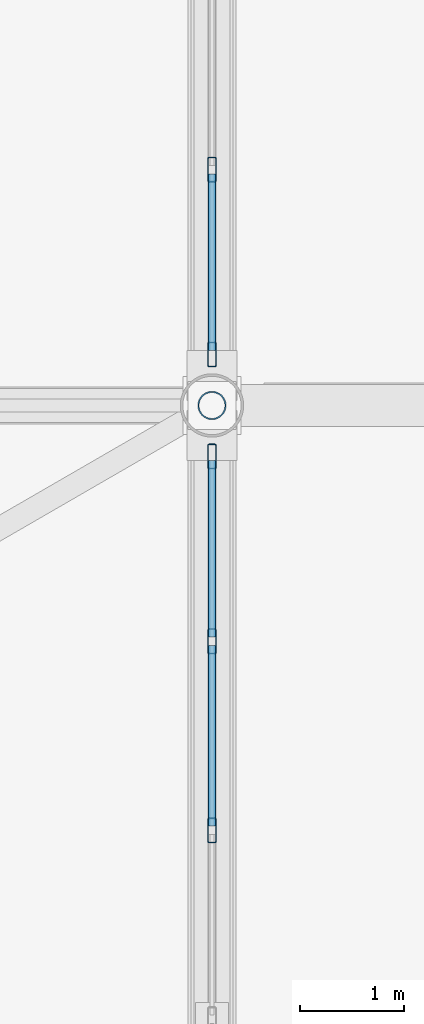
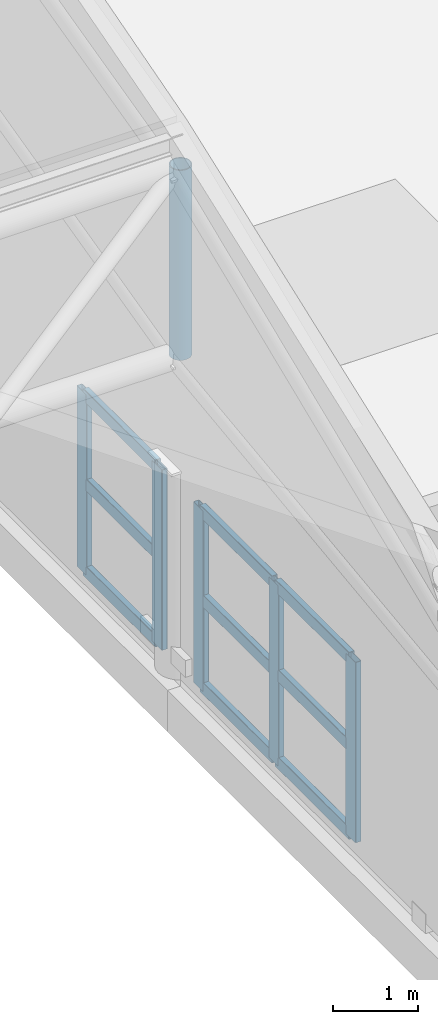
# One storey, part 48 of 135: 15 members, 2 elements without a shape of their own.
"""IFC4 building model written with IfcOpenShell, lengths in metres."""

from ifc_helpers import new_model, si_unit, direction, frame, origin, origin_2d, place, context, subcontext, project, spatial, hollow_rectangle, hollow_circle, extrude, material, material_profile, profile_set, type_object, element, aggregate, save


model = new_model("IFC4")

# Units and contexts
model_context = context("Model", 3, precision=1e-05, world=origin(), true_north=direction((0.0, 1.0)))
body_context = subcontext(model_context, "Body", "Model", "MODEL_VIEW")
ifc_project = project(units=[si_unit("LENGTHUNIT", "METRE"), si_unit("AREAUNIT", "SQUARE_METRE"), si_unit("VOLUMEUNIT", "CUBIC_METRE"), si_unit("PLANEANGLEUNIT", "RADIAN"), si_unit("MASSUNIT", "GRAM", prefix="KILO")], contexts=[model_context])

# Site, building, storey
site_placement = place(None, origin())
site = spatial("IfcSite", under=ifc_project, at=site_placement, CompositionType="ELEMENT")
building_placement = place(site_placement, origin())
building = spatial("IfcBuilding", under=site, at=building_placement, Name="Brelvane Convention Centre", CompositionType="ELEMENT")
storey_placement = place(building_placement, frame((0.0, 0.0, 15.0)))
storey = spatial("IfcBuildingStorey", under=building, at=storey_placement, Name="L03", CompositionType="ELEMENT", Elevation=15.0)

# Curtain wall, members
ifc_material_1 = material(Name="Anodised Aluminium Alloy 6063-T6", Category="aluminium")
curtain_wall_type = type_object("IfcCurtainWallType", Name="Curtain Wall CW-HULL-N", PredefinedType="USERDEFINED", material=ifc_material_1)
curtain_wall_1_placement = place(storey_placement, origin())
curtain_wall_1 = element("IfcCurtainWall", 1, at=curtain_wall_1_placement, inside=storey, type_object=curtain_wall_type, Name="Curtain Wall CW-HULL-N L03-EXH-E-CLER-1", ObjectType="UNITISED", PredefinedType="USERDEFINED")
ifc_material_2 = material(Name="Anodised Aluminium Alloy 6063-T6", Category="aluminium")
ifc_material_profile_1 = material_profile(ifc_material_2, hollow_rectangle(XDim=0.080078125, YDim=0.239990234375, WallThickness=0.006103515625, InnerFilletRadius=0.006103515625, OuterFilletRadius=0.011962890625, at=origin_2d()), Name="ALU-M 240x80x6.0")
ifc_profile_set_1 = profile_set([ifc_material_profile_1], Name="Anodised Aluminium Alloy 6063-T6")
member_type_1 = type_object("IfcMemberType", Name="Curtain Mullion CW-M1", PredefinedType="MULLION", material=ifc_profile_set_1)
member_1_placement = place(storey_placement, frame((142.800048828125, 36.5166015625, 0.0), z_axis=(0.0, 0.0, 1.0), x_axis=(-1.0, 0.0, 0.0)))
member_1 = element("IfcMember", 2, at=member_1_placement, type_object=member_type_1, Name="CW-HULL-N mullion 5", PredefinedType="MULLION", context=body_context, shape_type="SweptSolid", body=[
    extrude(hollow_rectangle(XDim=0.080078125, YDim=0.239990234375, WallThickness=0.006103515625, InnerFilletRadius=0.006103515625, OuterFilletRadius=0.011962890625, at=origin_2d()), origin(), (0.0, 0.0, 1.0), 2.60009765625),
])
member_2_placement = place(storey_placement, frame((142.800048828125, 38.333251953125, 0.0), z_axis=(0.0, 0.0, 1.0), x_axis=(-1.0, 0.0, 0.0)))
member_2 = element("IfcMember", 3, at=member_2_placement, type_object=member_type_1, Name="CW-HULL-N mullion 6", PredefinedType="MULLION", context=body_context, shape_type="SweptSolid", body=[
    extrude(hollow_rectangle(XDim=0.080078125, YDim=0.239990234375, WallThickness=0.006103515625, InnerFilletRadius=0.006103515625, OuterFilletRadius=0.011962890625, at=origin_2d()), origin(), (0.0, 0.0, 1.0), 2.60009765625),
])
member_3_placement = place(storey_placement, frame((142.800048828125, 40.110107421875, 0.0), z_axis=(0.0, 0.0, 1.0), x_axis=(-1.0, 0.0, 0.0)))
member_3 = element("IfcMember", 4, at=member_3_placement, type_object=member_type_1, Name="CW-HULL-N mullion 7", PredefinedType="MULLION", context=body_context, shape_type="SweptSolid", body=[
    extrude(hollow_rectangle(XDim=0.080078125, YDim=0.239990234375, WallThickness=0.006103515625, InnerFilletRadius=0.006103515625, OuterFilletRadius=0.011962890625, at=origin_2d()), origin(), (0.0, 0.0, 1.0), 2.60009765625),
])

curtain_wall_2_placement = place(storey_placement, origin())
curtain_wall_2 = element("IfcCurtainWall", 5, at=curtain_wall_2_placement, inside=storey, type_object=curtain_wall_type, Name="Curtain Wall CW-HULL-N L03-EXH-E-CLER-2", ObjectType="UNITISED", PredefinedType="USERDEFINED")
member_4_placement = place(storey_placement, frame((142.800048828125, 41.090087890625, 0.0), z_axis=(0.0, 0.0, 1.0), x_axis=(-1.0, 0.0, 0.0)))
member_4 = element("IfcMember", 6, at=member_4_placement, type_object=member_type_1, Name="CW-HULL-N mullion 1", PredefinedType="MULLION", context=body_context, shape_type="SweptSolid", body=[
    extrude(hollow_rectangle(XDim=0.080078125, YDim=0.239990234375, WallThickness=0.006103515625, InnerFilletRadius=0.006103515625, OuterFilletRadius=0.011962890625, at=origin_2d()), origin(), (0.0, 0.0, 1.0), 2.60009765625),
])
member_5_placement = place(storey_placement, frame((142.800048828125, 42.86669921875, 0.0), z_axis=(0.0, 0.0, 1.0), x_axis=(-1.0, 0.0, 0.0)))
member_5 = element("IfcMember", 7, at=member_5_placement, type_object=member_type_1, Name="CW-HULL-N mullion 2", PredefinedType="MULLION", context=body_context, shape_type="SweptSolid", body=[
    extrude(hollow_rectangle(XDim=0.080078125, YDim=0.239990234375, WallThickness=0.006103515625, InnerFilletRadius=0.006103515625, OuterFilletRadius=0.011962890625, at=origin_2d()), origin(), (0.0, 0.0, 1.0), 2.60009765625),
])

# Member
ifc_material_3 = material(Name="Anodised Aluminium Alloy 6063-T6", Category="aluminium")
ifc_material_profile_2 = material_profile(ifc_material_3, hollow_rectangle(XDim=0.080078125, YDim=0.179931640625, WallThickness=0.0048828125, InnerFilletRadius=0.0048828125, OuterFilletRadius=0.010009765625, at=origin_2d()), Name="ALU-T 180x80x5.0")
ifc_profile_set_2 = profile_set([ifc_material_profile_2], Name="Anodised Aluminium Alloy 6063-T6")
member_type_2 = type_object("IfcMemberType", Name="Curtain Transom CW-T1", PredefinedType="USERDEFINED", material=ifc_profile_set_2)
member_6_placement = place(storey_placement, frame((142.800048828125, 36.556640625, 0.0400390625), z_axis=(0.0, 1.0, 0.0), x_axis=(-1.0, 0.0, 0.0)))
member_6 = element("IfcMember", 8, at=member_6_placement, type_object=member_type_2, Name="CW-HULL-N transom 5.1", ObjectType="TRANSOM", PredefinedType="USERDEFINED", context=body_context, shape_type="SweptSolid", body=[
    extrude(hollow_rectangle(XDim=0.080078125, YDim=0.179931640625, WallThickness=0.0048828125, InnerFilletRadius=0.0048828125, OuterFilletRadius=0.010009765625, at=origin_2d()), origin(), (0.0, 0.0, 1.0), 1.736572265625),
])

member_7_placement = place(storey_placement, frame((142.800048828125, 36.556640625, 1.300048828125), z_axis=(0.0, 1.0, 0.0), x_axis=(-1.0, 0.0, 0.0)))
member_7 = element("IfcMember", 9, at=member_7_placement, type_object=member_type_2, Name="CW-HULL-N transom 5.2", ObjectType="TRANSOM", PredefinedType="USERDEFINED", context=body_context, shape_type="SweptSolid", body=[
    extrude(hollow_rectangle(XDim=0.080078125, YDim=0.179931640625, WallThickness=0.0048828125, InnerFilletRadius=0.0048828125, OuterFilletRadius=0.010009765625, at=origin_2d()), origin(), (0.0, 0.0, 1.0), 1.736572265625),
])

member_8_placement = place(storey_placement, frame((142.800048828125, 36.556640625, 2.56005859375), z_axis=(0.0, 1.0, 0.0), x_axis=(-1.0, 0.0, 0.0)))
member_8 = element("IfcMember", 10, at=member_8_placement, type_object=member_type_2, Name="CW-HULL-N transom 5.3", ObjectType="TRANSOM", PredefinedType="USERDEFINED", context=body_context, shape_type="SweptSolid", body=[
    extrude(hollow_rectangle(XDim=0.080078125, YDim=0.179931640625, WallThickness=0.0048828125, InnerFilletRadius=0.0048828125, OuterFilletRadius=0.010009765625, at=origin_2d()), origin(), (0.0, 0.0, 1.0), 1.736572265625),
])

member_9_placement = place(storey_placement, frame((142.800048828125, 38.373291015625, 0.0400390625), z_axis=(0.0, 1.0, 0.0), x_axis=(-1.0, 0.0, 0.0)))
member_9 = element("IfcMember", 11, at=member_9_placement, type_object=member_type_2, Name="CW-HULL-N transom 6.1", ObjectType="TRANSOM", PredefinedType="USERDEFINED", context=body_context, shape_type="SweptSolid", body=[
    extrude(hollow_rectangle(XDim=0.080078125, YDim=0.179931640625, WallThickness=0.0048828125, InnerFilletRadius=0.0048828125, OuterFilletRadius=0.010009765625, at=origin_2d()), origin(), (0.0, 0.0, 1.0), 1.69677734375),
])

member_10_placement = place(storey_placement, frame((142.800048828125, 38.373291015625, 1.300048828125), z_axis=(0.0, 1.0, 0.0), x_axis=(-1.0, 0.0, 0.0)))
member_10 = element("IfcMember", 12, at=member_10_placement, type_object=member_type_2, Name="CW-HULL-N transom 6.2", ObjectType="TRANSOM", PredefinedType="USERDEFINED", context=body_context, shape_type="SweptSolid", body=[
    extrude(hollow_rectangle(XDim=0.080078125, YDim=0.179931640625, WallThickness=0.0048828125, InnerFilletRadius=0.0048828125, OuterFilletRadius=0.010009765625, at=origin_2d()), origin(), (0.0, 0.0, 1.0), 1.69677734375),
])

member_11_placement = place(storey_placement, frame((142.800048828125, 38.373291015625, 2.56005859375), z_axis=(0.0, 1.0, 0.0), x_axis=(-1.0, 0.0, 0.0)))
member_11 = element("IfcMember", 13, at=member_11_placement, type_object=member_type_2, Name="CW-HULL-N transom 6.3", ObjectType="TRANSOM", PredefinedType="USERDEFINED", context=body_context, shape_type="SweptSolid", body=[
    extrude(hollow_rectangle(XDim=0.080078125, YDim=0.179931640625, WallThickness=0.0048828125, InnerFilletRadius=0.0048828125, OuterFilletRadius=0.010009765625, at=origin_2d()), origin(), (0.0, 0.0, 1.0), 1.69677734375),
])

aggregate(curtain_wall_1, [member_1, member_2, member_3, member_6, member_7, member_8, member_9, member_10, member_11])

member_12_placement = place(storey_placement, frame((142.800048828125, 41.1298828125, 0.0400390625), z_axis=(0.0, 1.0, 0.0), x_axis=(-1.0, 0.0, 0.0)))
member_12 = element("IfcMember", 14, at=member_12_placement, type_object=member_type_2, Name="CW-HULL-N transom 1.1", ObjectType="TRANSOM", PredefinedType="USERDEFINED", context=body_context, shape_type="SweptSolid", body=[
    extrude(hollow_rectangle(XDim=0.080078125, YDim=0.179931640625, WallThickness=0.0048828125, InnerFilletRadius=0.0048828125, OuterFilletRadius=0.010009765625, at=origin_2d()), origin(), (0.0, 0.0, 1.0), 1.69677734375),
])

member_13_placement = place(storey_placement, frame((142.800048828125, 41.1298828125, 1.300048828125), z_axis=(0.0, 1.0, 0.0), x_axis=(-1.0, 0.0, 0.0)))
member_13 = element("IfcMember", 15, at=member_13_placement, type_object=member_type_2, Name="CW-HULL-N transom 1.2", ObjectType="TRANSOM", PredefinedType="USERDEFINED", context=body_context, shape_type="SweptSolid", body=[
    extrude(hollow_rectangle(XDim=0.080078125, YDim=0.179931640625, WallThickness=0.0048828125, InnerFilletRadius=0.0048828125, OuterFilletRadius=0.010009765625, at=origin_2d()), origin(), (0.0, 0.0, 1.0), 1.69677734375),
])

member_14_placement = place(storey_placement, frame((142.800048828125, 41.1298828125, 2.56005859375), z_axis=(0.0, 1.0, 0.0), x_axis=(-1.0, 0.0, 0.0)))
member_14 = element("IfcMember", 16, at=member_14_placement, type_object=member_type_2, Name="CW-HULL-N transom 1.3", ObjectType="TRANSOM", PredefinedType="USERDEFINED", context=body_context, shape_type="SweptSolid", body=[
    extrude(hollow_rectangle(XDim=0.080078125, YDim=0.179931640625, WallThickness=0.0048828125, InnerFilletRadius=0.0048828125, OuterFilletRadius=0.010009765625, at=origin_2d()), origin(), (0.0, 0.0, 1.0), 1.69677734375),
])

aggregate(curtain_wall_2, [member_4, member_5, member_12, member_13, member_14])

ifc_material_4 = material(Name="Steel E350 (350 MPa)", Category="steel")
ifc_material_profile_3 = material_profile(ifc_material_4, hollow_circle(Radius=0.136474609375, WallThickness=0.012451171875, at=origin_2d()), Name="CHS 273.0x12.5")
ifc_profile_set_3 = profile_set([ifc_material_profile_3], Name="Steel E350 (350 MPa)")
member_type_3 = type_object("IfcMemberType", Name="Steel Strut SF-VT1 (CHS 273.0x12.5)", PredefinedType="STRUT", material=ifc_profile_set_3)
member_15_placement = place(storey_placement, frame((142.800048828125, 40.60009765625, 4.489013671875), z_axis=(0.0, 0.0, 1.0), x_axis=(1.0, 0.0, 0.0)))
element("IfcMember", 17, at=member_15_placement, inside=storey, type_object=member_type_3, Name="SF_EXH Space-Frame Post V8.1", PredefinedType="STRUT", context=body_context, shape_type="SweptSolid", body=[
    extrude(hollow_circle(Radius=0.136474609375, WallThickness=0.012451171875, at=origin_2d()), origin(), (0.0, 0.0, 1.0), 2.739990234375),
])

save(model, "model.ifc")
